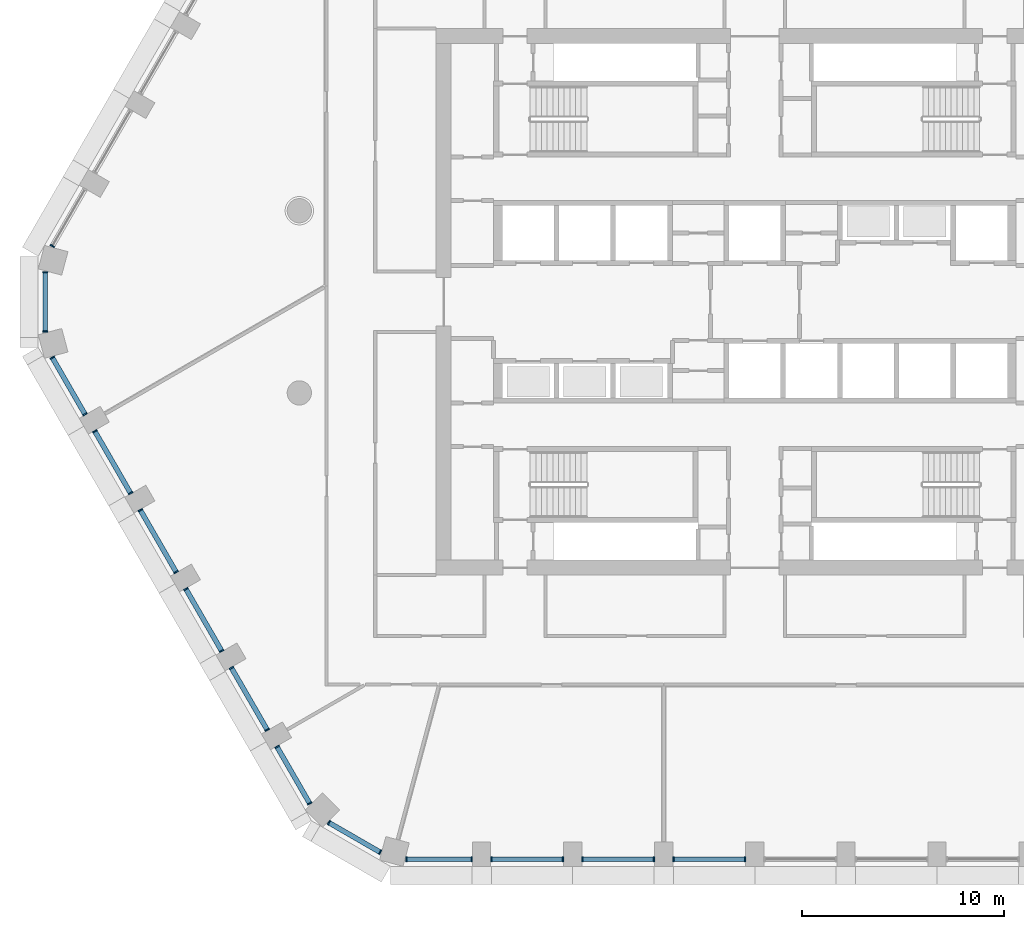
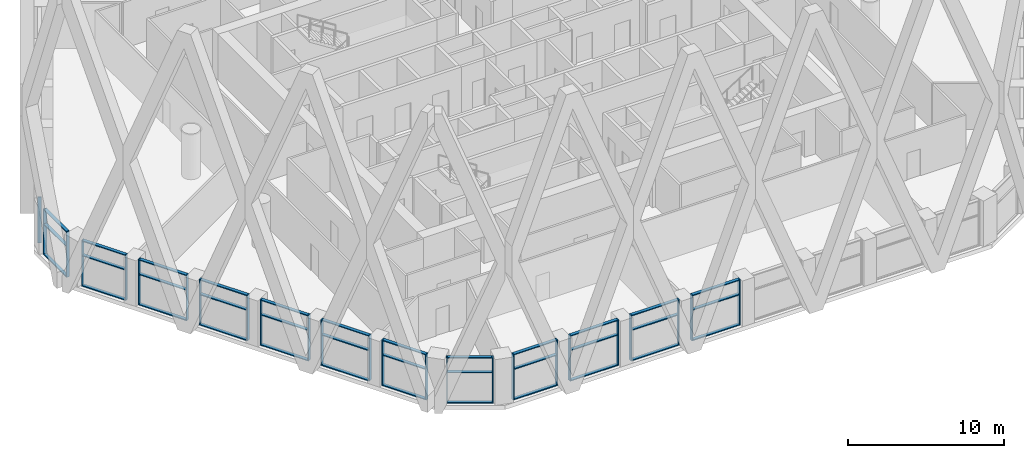
# One storey, part 2 of 24: 61 members, 13 elements without a shape of their own.
"""IFC4 building model written with IfcOpenShell, lengths in metres."""

from ifc_helpers import new_model, si_unit, direction, frame, origin, origin_2d, place, context, subcontext, project, spatial, rectangle, extrude, material, layer, layer_set, material_profile, profile_set, type_object, element, aggregate, save


model = new_model("IFC4")

# Units and contexts
model_context = context("Model", 3, precision=1e-05, world=origin(), true_north=direction((0.0, 1.0)))
body_context = subcontext(model_context, "Body", "Model", "MODEL_VIEW")
ifc_project = project(units=[si_unit("LENGTHUNIT", "METRE"), si_unit("AREAUNIT", "SQUARE_METRE"), si_unit("VOLUMEUNIT", "CUBIC_METRE"), si_unit("PLANEANGLEUNIT", "RADIAN"), si_unit("MASSUNIT", "GRAM", prefix="KILO")], contexts=[model_context])

# Site, building, storey
site_placement = place(None, origin())
site = spatial("IfcSite", under=ifc_project, at=site_placement, CompositionType="ELEMENT")
building_placement = place(site_placement, origin())
building = spatial("IfcBuilding", under=site, at=building_placement, Name="Dhurran Vertical Campus", CompositionType="ELEMENT")
storey_placement = place(building_placement, frame((0.0, 0.0, 132.60009765625)))
storey = spatial("IfcBuildingStorey", under=building, at=storey_placement, Name="L32", CompositionType="ELEMENT", Elevation=132.60009765625)

# Curtain wall, members
ifc_material_1 = material(Name="Aluminium frame with solar-control glass", Category="aluminium")
ifc_layer = layer(ifc_material_1, 0.25)
ifc_layer_set = layer_set([ifc_layer], Name="Aluminium frame with solar-control glass")
curtain_wall_type = type_object("IfcCurtainWallType", Name="Sky lobby glazing system", PredefinedType="NOTDEFINED", material=ifc_layer_set)
curtain_wall_1_placement = place(storey_placement, origin())
curtain_wall_1 = element("IfcCurtainWall", 1, at=curtain_wall_1_placement, inside=storey, type_object=curtain_wall_type, Name="CW3 L32.00", PredefinedType="NOTDEFINED")
ifc_material_2 = material(Name="Aluminium mullion", Category="aluminium")
ifc_material_profile_1 = material_profile(ifc_material_2, rectangle(XDim=0.239990234375, YDim=0.070068359375, at=origin_2d()), Name="Sky lobby glazing system mullion")
ifc_profile_set_1 = profile_set([ifc_material_profile_1], Name="Aluminium mullion")
member_type_1 = type_object("IfcMemberType", Name="Sky lobby glazing system mullion", PredefinedType="MULLION", material=ifc_profile_set_1)
member_1_placement = place(storey_placement, frame((-17.209716796875, -27.53271484375, 0.0), z_axis=(0.0, 0.0, 1.0), x_axis=(0.0, 1.0, 0.0)))
member_1 = element("IfcMember", 2, at=member_1_placement, type_object=member_type_1, Name="CW3 mullion 1", PredefinedType="MULLION", context=body_context, shape_type="SweptSolid", body=[
    extrude(rectangle(XDim=0.239990234375, YDim=0.070068359375, at=origin_2d()), origin(), (0.0, 0.0, 1.0), 3.574951171875),
])
member_2_placement = place(storey_placement, frame((-13.985595703125, -27.53271484375, 0.0), z_axis=(0.0, 0.0, 1.0), x_axis=(0.0, 1.0, 0.0)))
member_2 = element("IfcMember", 3, at=member_2_placement, type_object=member_type_1, Name="CW3 mullion 2", PredefinedType="MULLION", context=body_context, shape_type="SweptSolid", body=[
    extrude(rectangle(XDim=0.239990234375, YDim=0.070068359375, at=origin_2d()), origin(), (0.0, 0.0, 1.0), 3.574951171875),
])

curtain_wall_2_placement = place(storey_placement, origin())
curtain_wall_2 = element("IfcCurtainWall", 4, at=curtain_wall_2_placement, inside=storey, type_object=curtain_wall_type, Name="CW3 L32.01", PredefinedType="NOTDEFINED")
member_3_placement = place(storey_placement, frame((-13.014404296875, -27.53271484375, 0.0), z_axis=(0.0, 0.0, 1.0), x_axis=(0.0, 1.0, 0.0)))
member_3 = element("IfcMember", 5, at=member_3_placement, type_object=member_type_1, Name="CW3 mullion 1", PredefinedType="MULLION", context=body_context, shape_type="SweptSolid", body=[
    extrude(rectangle(XDim=0.239990234375, YDim=0.070068359375, at=origin_2d()), origin(), (0.0, 0.0, 1.0), 3.574951171875),
])
member_4_placement = place(storey_placement, frame((-9.485595703125, -27.53271484375, 0.0), z_axis=(0.0, 0.0, 1.0), x_axis=(0.0, 1.0, 0.0)))
member_4 = element("IfcMember", 6, at=member_4_placement, type_object=member_type_1, Name="CW3 mullion 2", PredefinedType="MULLION", context=body_context, shape_type="SweptSolid", body=[
    extrude(rectangle(XDim=0.239990234375, YDim=0.070068359375, at=origin_2d()), origin(), (0.0, 0.0, 1.0), 3.574951171875),
])

curtain_wall_3_placement = place(storey_placement, origin())
curtain_wall_3 = element("IfcCurtainWall", 7, at=curtain_wall_3_placement, inside=storey, type_object=curtain_wall_type, Name="CW3 L32.02", PredefinedType="NOTDEFINED")
member_5_placement = place(storey_placement, frame((-8.514404296875, -27.53271484375, 0.0), z_axis=(0.0, 0.0, 1.0), x_axis=(0.0, 1.0, 0.0)))
member_5 = element("IfcMember", 8, at=member_5_placement, type_object=member_type_1, Name="CW3 mullion 1", PredefinedType="MULLION", context=body_context, shape_type="SweptSolid", body=[
    extrude(rectangle(XDim=0.239990234375, YDim=0.070068359375, at=origin_2d()), origin(), (0.0, 0.0, 1.0), 3.574951171875),
])
member_6_placement = place(storey_placement, frame((-4.985595703125, -27.53271484375, 0.0), z_axis=(0.0, 0.0, 1.0), x_axis=(0.0, 1.0, 0.0)))
member_6 = element("IfcMember", 9, at=member_6_placement, type_object=member_type_1, Name="CW3 mullion 2", PredefinedType="MULLION", context=body_context, shape_type="SweptSolid", body=[
    extrude(rectangle(XDim=0.239990234375, YDim=0.070068359375, at=origin_2d()), origin(), (0.0, 0.0, 1.0), 3.574951171875),
])

curtain_wall_4_placement = place(storey_placement, origin())
curtain_wall_4 = element("IfcCurtainWall", 10, at=curtain_wall_4_placement, inside=storey, type_object=curtain_wall_type, Name="CW3 L32.03", PredefinedType="NOTDEFINED")
member_7_placement = place(storey_placement, frame((-4.014404296875, -27.53271484375, 0.0), z_axis=(0.0, 0.0, 1.0), x_axis=(0.0, 1.0, 0.0)))
member_7 = element("IfcMember", 11, at=member_7_placement, type_object=member_type_1, Name="CW3 mullion 1", PredefinedType="MULLION", context=body_context, shape_type="SweptSolid", body=[
    extrude(rectangle(XDim=0.239990234375, YDim=0.070068359375, at=origin_2d()), origin(), (0.0, 0.0, 1.0), 3.574951171875),
])
member_8_placement = place(storey_placement, frame((-0.485595703125, -27.53271484375, 0.0), z_axis=(0.0, 0.0, 1.0), x_axis=(0.0, 1.0, 0.0)))
member_8 = element("IfcMember", 12, at=member_8_placement, type_object=member_type_1, Name="CW3 mullion 2", PredefinedType="MULLION", context=body_context, shape_type="SweptSolid", body=[
    extrude(rectangle(XDim=0.239990234375, YDim=0.070068359375, at=origin_2d()), origin(), (0.0, 0.0, 1.0), 3.574951171875),
])

# Curtain wall, member
curtain_wall_5_placement = place(storey_placement, origin())
curtain_wall_5 = element("IfcCurtainWall", 13, at=curtain_wall_5_placement, inside=storey, type_object=curtain_wall_type, Name="CW3 L32.37", PredefinedType="NOTDEFINED")
member_9_placement = place(storey_placement, frame((-34.69873046875, 2.759521484375, 0.0), z_axis=(0.0, 0.0, 1.0), x_axis=(0.866033927995, -0.499985235344, 0.0)))
member_9 = element("IfcMember", 14, at=member_9_placement, type_object=member_type_1, Name="CW3 mullion 2", PredefinedType="MULLION", context=body_context, shape_type="SweptSolid", body=[
    extrude(rectangle(XDim=0.239990234375, YDim=0.070068359375, at=origin_2d()), origin(), (0.0, 0.0, 1.0), 3.574951171875),
])
aggregate(curtain_wall_5, [member_9])

# Curtain wall, members
curtain_wall_6_placement = place(storey_placement, origin())
curtain_wall_6 = element("IfcCurtainWall", 15, at=curtain_wall_6_placement, inside=storey, type_object=curtain_wall_type, Name="CW3 L32.38", PredefinedType="NOTDEFINED")
member_10_placement = place(storey_placement, frame((-35.047119140625, 1.459716796875, 0.0), z_axis=(0.0, 0.0, 1.0), x_axis=(1.0, 0.0, 0.0)))
member_10 = element("IfcMember", 16, at=member_10_placement, type_object=member_type_1, Name="CW3 mullion 1", PredefinedType="MULLION", context=body_context, shape_type="SweptSolid", body=[
    extrude(rectangle(XDim=0.239990234375, YDim=0.070068359375, at=origin_2d()), origin(), (0.0, 0.0, 1.0), 3.574951171875),
])
member_11_placement = place(storey_placement, frame((-35.047119140625, -1.459716796875, 0.0), z_axis=(0.0, 0.0, 1.0), x_axis=(1.0, 0.0, 0.0)))
member_11 = element("IfcMember", 17, at=member_11_placement, type_object=member_type_1, Name="CW3 mullion 2", PredefinedType="MULLION", context=body_context, shape_type="SweptSolid", body=[
    extrude(rectangle(XDim=0.239990234375, YDim=0.070068359375, at=origin_2d()), origin(), (0.0, 0.0, 1.0), 3.574951171875),
])

curtain_wall_7_placement = place(storey_placement, origin())
curtain_wall_7 = element("IfcCurtainWall", 18, at=curtain_wall_7_placement, inside=storey, type_object=curtain_wall_type, Name="CW3 L32.39", PredefinedType="NOTDEFINED")
member_12_placement = place(storey_placement, frame((-34.69873046875, -2.759521484375, 0.0), z_axis=(0.0, 0.0, 1.0), x_axis=(0.866033927995, 0.499985235344, 0.0)))
member_12 = element("IfcMember", 19, at=member_12_placement, type_object=member_type_1, Name="CW3 mullion 1", PredefinedType="MULLION", context=body_context, shape_type="SweptSolid", body=[
    extrude(rectangle(XDim=0.239990234375, YDim=0.070068359375, at=origin_2d()), origin(), (0.0, 0.0, 1.0), 3.574951171875),
])
member_13_placement = place(storey_placement, frame((-33.0869140625, -5.5517578125, 0.0), z_axis=(0.0, 0.0, 1.0), x_axis=(0.866033927995, 0.499985235344, 0.0)))
member_13 = element("IfcMember", 20, at=member_13_placement, type_object=member_type_1, Name="CW3 mullion 2", PredefinedType="MULLION", context=body_context, shape_type="SweptSolid", body=[
    extrude(rectangle(XDim=0.239990234375, YDim=0.070068359375, at=origin_2d()), origin(), (0.0, 0.0, 1.0), 3.574951171875),
])

curtain_wall_8_placement = place(storey_placement, origin())
curtain_wall_8 = element("IfcCurtainWall", 21, at=curtain_wall_8_placement, inside=storey, type_object=curtain_wall_type, Name="CW3 L32.40", PredefinedType="NOTDEFINED")
member_14_placement = place(storey_placement, frame((-32.601318359375, -6.392578125, 0.0), z_axis=(0.0, 0.0, 1.0), x_axis=(0.866023637427, 0.500003059408, 0.0)))
member_14 = element("IfcMember", 22, at=member_14_placement, type_object=member_type_1, Name="CW3 mullion 1", PredefinedType="MULLION", context=body_context, shape_type="SweptSolid", body=[
    extrude(rectangle(XDim=0.239990234375, YDim=0.070068359375, at=origin_2d()), origin(), (0.0, 0.0, 1.0), 3.574951171875),
])
member_15_placement = place(storey_placement, frame((-30.8369140625, -9.44873046875, 0.0), z_axis=(0.0, 0.0, 1.0), x_axis=(0.866023637427, 0.500003059408, 0.0)))
member_15 = element("IfcMember", 23, at=member_15_placement, type_object=member_type_1, Name="CW3 mullion 2", PredefinedType="MULLION", context=body_context, shape_type="SweptSolid", body=[
    extrude(rectangle(XDim=0.239990234375, YDim=0.070068359375, at=origin_2d()), origin(), (0.0, 0.0, 1.0), 3.574951171875),
])

curtain_wall_9_placement = place(storey_placement, origin())
curtain_wall_9 = element("IfcCurtainWall", 24, at=curtain_wall_9_placement, inside=storey, type_object=curtain_wall_type, Name="CW3 L32.41", PredefinedType="NOTDEFINED")
member_16_placement = place(storey_placement, frame((-30.351318359375, -10.289794921875, 0.0), z_axis=(0.0, 0.0, 1.0), x_axis=(0.866023637427, 0.500003059408, 0.0)))
member_16 = element("IfcMember", 25, at=member_16_placement, type_object=member_type_1, Name="CW3 mullion 1", PredefinedType="MULLION", context=body_context, shape_type="SweptSolid", body=[
    extrude(rectangle(XDim=0.239990234375, YDim=0.070068359375, at=origin_2d()), origin(), (0.0, 0.0, 1.0), 3.574951171875),
])
member_17_placement = place(storey_placement, frame((-28.5869140625, -13.345947265625, 0.0), z_axis=(0.0, 0.0, 1.0), x_axis=(0.866023637427, 0.500003059408, 0.0)))
member_17 = element("IfcMember", 26, at=member_17_placement, type_object=member_type_1, Name="CW3 mullion 2", PredefinedType="MULLION", context=body_context, shape_type="SweptSolid", body=[
    extrude(rectangle(XDim=0.239990234375, YDim=0.070068359375, at=origin_2d()), origin(), (0.0, 0.0, 1.0), 3.574951171875),
])

curtain_wall_10_placement = place(storey_placement, origin())
curtain_wall_10 = element("IfcCurtainWall", 27, at=curtain_wall_10_placement, inside=storey, type_object=curtain_wall_type, Name="CW3 L32.42", PredefinedType="NOTDEFINED")
member_18_placement = place(storey_placement, frame((-28.101318359375, -14.186767578125, 0.0), z_axis=(0.0, 0.0, 1.0), x_axis=(0.866023637427, 0.500003059408, 0.0)))
member_18 = element("IfcMember", 28, at=member_18_placement, type_object=member_type_1, Name="CW3 mullion 1", PredefinedType="MULLION", context=body_context, shape_type="SweptSolid", body=[
    extrude(rectangle(XDim=0.239990234375, YDim=0.070068359375, at=origin_2d()), origin(), (0.0, 0.0, 1.0), 3.574951171875),
])
member_19_placement = place(storey_placement, frame((-26.3369140625, -17.242919921875, 0.0), z_axis=(0.0, 0.0, 1.0), x_axis=(0.866023637427, 0.500003059408, 0.0)))
member_19 = element("IfcMember", 29, at=member_19_placement, type_object=member_type_1, Name="CW3 mullion 2", PredefinedType="MULLION", context=body_context, shape_type="SweptSolid", body=[
    extrude(rectangle(XDim=0.239990234375, YDim=0.070068359375, at=origin_2d()), origin(), (0.0, 0.0, 1.0), 3.574951171875),
])

curtain_wall_11_placement = place(storey_placement, origin())
curtain_wall_11 = element("IfcCurtainWall", 30, at=curtain_wall_11_placement, inside=storey, type_object=curtain_wall_type, Name="CW3 L32.43", PredefinedType="NOTDEFINED")
member_20_placement = place(storey_placement, frame((-25.851318359375, -18.083984375, 0.0), z_axis=(0.0, 0.0, 1.0), x_axis=(0.866023637427, 0.500003059408, 0.0)))
member_20 = element("IfcMember", 31, at=member_20_placement, type_object=member_type_1, Name="CW3 mullion 1", PredefinedType="MULLION", context=body_context, shape_type="SweptSolid", body=[
    extrude(rectangle(XDim=0.239990234375, YDim=0.070068359375, at=origin_2d()), origin(), (0.0, 0.0, 1.0), 3.574951171875),
])
member_21_placement = place(storey_placement, frame((-24.0869140625, -21.14013671875, 0.0), z_axis=(0.0, 0.0, 1.0), x_axis=(0.866023637427, 0.500003059408, 0.0)))
member_21 = element("IfcMember", 32, at=member_21_placement, type_object=member_type_1, Name="CW3 mullion 2", PredefinedType="MULLION", context=body_context, shape_type="SweptSolid", body=[
    extrude(rectangle(XDim=0.239990234375, YDim=0.070068359375, at=origin_2d()), origin(), (0.0, 0.0, 1.0), 3.574951171875),
])

curtain_wall_12_placement = place(storey_placement, origin())
curtain_wall_12 = element("IfcCurtainWall", 33, at=curtain_wall_12_placement, inside=storey, type_object=curtain_wall_type, Name="CW3 L32.44", PredefinedType="NOTDEFINED")
member_22_placement = place(storey_placement, frame((-23.601318359375, -21.98095703125, 0.0), z_axis=(0.0, 0.0, 1.0), x_axis=(0.866026338808, 0.499998380488, 0.0)))
member_22 = element("IfcMember", 34, at=member_22_placement, type_object=member_type_1, Name="CW3 mullion 1", PredefinedType="MULLION", context=body_context, shape_type="SweptSolid", body=[
    extrude(rectangle(XDim=0.239990234375, YDim=0.070068359375, at=origin_2d()), origin(), (0.0, 0.0, 1.0), 3.574951171875),
])
member_23_placement = place(storey_placement, frame((-21.9892578125, -24.773193359375, 0.0), z_axis=(0.0, 0.0, 1.0), x_axis=(0.866026338808, 0.499998380488, 0.0)))
member_23 = element("IfcMember", 35, at=member_23_placement, type_object=member_type_1, Name="CW3 mullion 2", PredefinedType="MULLION", context=body_context, shape_type="SweptSolid", body=[
    extrude(rectangle(XDim=0.239990234375, YDim=0.070068359375, at=origin_2d()), origin(), (0.0, 0.0, 1.0), 3.574951171875),
])

curtain_wall_13_placement = place(storey_placement, origin())
curtain_wall_13 = element("IfcCurtainWall", 36, at=curtain_wall_13_placement, inside=storey, type_object=curtain_wall_type, Name="CW3 L32.45", PredefinedType="NOTDEFINED")
member_24_placement = place(storey_placement, frame((-21.03759765625, -25.724853515625, 0.0), z_axis=(0.0, 0.0, 1.0), x_axis=(0.500003351625, 0.866023468714, 0.0)))
member_24 = element("IfcMember", 37, at=member_24_placement, type_object=member_type_1, Name="CW3 mullion 1", PredefinedType="MULLION", context=body_context, shape_type="SweptSolid", body=[
    extrude(rectangle(XDim=0.239990234375, YDim=0.070068359375, at=origin_2d()), origin(), (0.0, 0.0, 1.0), 3.574951171875),
])
member_25_placement = place(storey_placement, frame((-18.509521484375, -27.184326171875, 0.0), z_axis=(0.0, 0.0, 1.0), x_axis=(0.500003351625, 0.866023468714, 0.0)))
member_25 = element("IfcMember", 38, at=member_25_placement, type_object=member_type_1, Name="CW3 mullion 2", PredefinedType="MULLION", context=body_context, shape_type="SweptSolid", body=[
    extrude(rectangle(XDim=0.239990234375, YDim=0.070068359375, at=origin_2d()), origin(), (0.0, 0.0, 1.0), 3.574951171875),
])

# Member
ifc_material_3 = material(Name="Aluminium transom", Category="aluminium")
ifc_material_profile_2 = material_profile(ifc_material_3, rectangle(XDim=0.239990234375, YDim=0.070068359375, at=origin_2d()), Name="Sky lobby glazing system transom")
ifc_profile_set_2 = profile_set([ifc_material_profile_2], Name="Aluminium transom")
member_type_2 = type_object("IfcMemberType", Name="Sky lobby glazing system transom", PredefinedType="USERDEFINED", material=ifc_profile_set_2)
member_26_placement = place(storey_placement, frame((-17.174560546875, -27.53271484375, 0.034912109375), z_axis=(1.0, 0.0, 0.0), x_axis=(0.0, 1.0, 0.0)))
member_26 = element("IfcMember", 39, at=member_26_placement, type_object=member_type_2, Name="CW3 transom 1.1", ObjectType="TRANSOM", PredefinedType="USERDEFINED", context=body_context, shape_type="SweptSolid", body=[
    extrude(rectangle(XDim=0.239990234375, YDim=0.070068359375, at=origin_2d()), origin(), (0.0, 0.0, 1.0), 3.154052734375),
])

member_27_placement = place(storey_placement, frame((-17.174560546875, -27.53271484375, 2.39990234375), z_axis=(1.0, 0.0, 0.0), x_axis=(0.0, 1.0, 0.0)))
member_27 = element("IfcMember", 40, at=member_27_placement, type_object=member_type_2, Name="CW3 transom 1.2", ObjectType="TRANSOM", PredefinedType="USERDEFINED", context=body_context, shape_type="SweptSolid", body=[
    extrude(rectangle(XDim=0.239990234375, YDim=0.070068359375, at=origin_2d()), origin(), (0.0, 0.0, 1.0), 3.154052734375),
])

member_28_placement = place(storey_placement, frame((-17.174560546875, -27.53271484375, 3.539794921875), z_axis=(1.0, 0.0, 0.0), x_axis=(0.0, 1.0, 0.0)))
member_28 = element("IfcMember", 41, at=member_28_placement, type_object=member_type_2, Name="CW3 transom 1.3", ObjectType="TRANSOM", PredefinedType="USERDEFINED", context=body_context, shape_type="SweptSolid", body=[
    extrude(rectangle(XDim=0.239990234375, YDim=0.070068359375, at=origin_2d()), origin(), (0.0, 0.0, 1.0), 3.154052734375),
])

aggregate(curtain_wall_1, [member_1, member_2, member_26, member_27, member_28])

member_29_placement = place(storey_placement, frame((-12.9794921875, -27.53271484375, 0.034912109375), z_axis=(1.0, 0.0, 0.0), x_axis=(0.0, 1.0, 0.0)))
member_29 = element("IfcMember", 42, at=member_29_placement, type_object=member_type_2, Name="CW3 transom 1.1", ObjectType="TRANSOM", PredefinedType="USERDEFINED", context=body_context, shape_type="SweptSolid", body=[
    extrude(rectangle(XDim=0.239990234375, YDim=0.070068359375, at=origin_2d()), origin(), (0.0, 0.0, 1.0), 3.458984375),
])

member_30_placement = place(storey_placement, frame((-12.9794921875, -27.53271484375, 2.39990234375), z_axis=(1.0, 0.0, 0.0), x_axis=(0.0, 1.0, 0.0)))
member_30 = element("IfcMember", 43, at=member_30_placement, type_object=member_type_2, Name="CW3 transom 1.2", ObjectType="TRANSOM", PredefinedType="USERDEFINED", context=body_context, shape_type="SweptSolid", body=[
    extrude(rectangle(XDim=0.239990234375, YDim=0.070068359375, at=origin_2d()), origin(), (0.0, 0.0, 1.0), 3.458984375),
])

member_31_placement = place(storey_placement, frame((-12.9794921875, -27.53271484375, 3.539794921875), z_axis=(1.0, 0.0, 0.0), x_axis=(0.0, 1.0, 0.0)))
member_31 = element("IfcMember", 44, at=member_31_placement, type_object=member_type_2, Name="CW3 transom 1.3", ObjectType="TRANSOM", PredefinedType="USERDEFINED", context=body_context, shape_type="SweptSolid", body=[
    extrude(rectangle(XDim=0.239990234375, YDim=0.070068359375, at=origin_2d()), origin(), (0.0, 0.0, 1.0), 3.458984375),
])

aggregate(curtain_wall_2, [member_3, member_4, member_29, member_30, member_31])

member_32_placement = place(storey_placement, frame((-8.4794921875, -27.53271484375, 0.034912109375), z_axis=(1.0, 0.0, 0.0), x_axis=(0.0, 1.0, 0.0)))
member_32 = element("IfcMember", 45, at=member_32_placement, type_object=member_type_2, Name="CW3 transom 1.1", ObjectType="TRANSOM", PredefinedType="USERDEFINED", context=body_context, shape_type="SweptSolid", body=[
    extrude(rectangle(XDim=0.239990234375, YDim=0.070068359375, at=origin_2d()), origin(), (0.0, 0.0, 1.0), 3.458984375),
])

member_33_placement = place(storey_placement, frame((-8.4794921875, -27.53271484375, 2.39990234375), z_axis=(1.0, 0.0, 0.0), x_axis=(0.0, 1.0, 0.0)))
member_33 = element("IfcMember", 46, at=member_33_placement, type_object=member_type_2, Name="CW3 transom 1.2", ObjectType="TRANSOM", PredefinedType="USERDEFINED", context=body_context, shape_type="SweptSolid", body=[
    extrude(rectangle(XDim=0.239990234375, YDim=0.070068359375, at=origin_2d()), origin(), (0.0, 0.0, 1.0), 3.458984375),
])

member_34_placement = place(storey_placement, frame((-8.4794921875, -27.53271484375, 3.539794921875), z_axis=(1.0, 0.0, 0.0), x_axis=(0.0, 1.0, 0.0)))
member_34 = element("IfcMember", 47, at=member_34_placement, type_object=member_type_2, Name="CW3 transom 1.3", ObjectType="TRANSOM", PredefinedType="USERDEFINED", context=body_context, shape_type="SweptSolid", body=[
    extrude(rectangle(XDim=0.239990234375, YDim=0.070068359375, at=origin_2d()), origin(), (0.0, 0.0, 1.0), 3.458984375),
])

aggregate(curtain_wall_3, [member_5, member_6, member_32, member_33, member_34])

member_35_placement = place(storey_placement, frame((-3.9794921875, -27.53271484375, 0.034912109375), z_axis=(1.0, 0.0, 0.0), x_axis=(0.0, 1.0, 0.0)))
member_35 = element("IfcMember", 48, at=member_35_placement, type_object=member_type_2, Name="CW3 transom 1.1", ObjectType="TRANSOM", PredefinedType="USERDEFINED", context=body_context, shape_type="SweptSolid", body=[
    extrude(rectangle(XDim=0.239990234375, YDim=0.070068359375, at=origin_2d()), origin(), (0.0, 0.0, 1.0), 3.458984375),
])

member_36_placement = place(storey_placement, frame((-3.9794921875, -27.53271484375, 2.39990234375), z_axis=(1.0, 0.0, 0.0), x_axis=(0.0, 1.0, 0.0)))
member_36 = element("IfcMember", 49, at=member_36_placement, type_object=member_type_2, Name="CW3 transom 1.2", ObjectType="TRANSOM", PredefinedType="USERDEFINED", context=body_context, shape_type="SweptSolid", body=[
    extrude(rectangle(XDim=0.239990234375, YDim=0.070068359375, at=origin_2d()), origin(), (0.0, 0.0, 1.0), 3.458984375),
])

member_37_placement = place(storey_placement, frame((-3.9794921875, -27.53271484375, 3.539794921875), z_axis=(1.0, 0.0, 0.0), x_axis=(0.0, 1.0, 0.0)))
member_37 = element("IfcMember", 50, at=member_37_placement, type_object=member_type_2, Name="CW3 transom 1.3", ObjectType="TRANSOM", PredefinedType="USERDEFINED", context=body_context, shape_type="SweptSolid", body=[
    extrude(rectangle(XDim=0.239990234375, YDim=0.070068359375, at=origin_2d()), origin(), (0.0, 0.0, 1.0), 3.458984375),
])

aggregate(curtain_wall_4, [member_7, member_8, member_35, member_36, member_37])

member_38_placement = place(storey_placement, frame((-35.047119140625, 1.424560546875, 0.034912109375), z_axis=(0.0, -1.0, 0.0), x_axis=(1.0, 0.0, 0.0)))
member_38 = element("IfcMember", 51, at=member_38_placement, type_object=member_type_2, Name="CW3 transom 1.1", ObjectType="TRANSOM", PredefinedType="USERDEFINED", context=body_context, shape_type="SweptSolid", body=[
    extrude(rectangle(XDim=0.239990234375, YDim=0.070068359375, at=origin_2d()), origin(), (0.0, 0.0, 1.0), 2.84912109375),
])

member_39_placement = place(storey_placement, frame((-35.047119140625, 1.424560546875, 2.39990234375), z_axis=(0.0, -1.0, 0.0), x_axis=(1.0, 0.0, 0.0)))
member_39 = element("IfcMember", 52, at=member_39_placement, type_object=member_type_2, Name="CW3 transom 1.2", ObjectType="TRANSOM", PredefinedType="USERDEFINED", context=body_context, shape_type="SweptSolid", body=[
    extrude(rectangle(XDim=0.239990234375, YDim=0.070068359375, at=origin_2d()), origin(), (0.0, 0.0, 1.0), 2.84912109375),
])

member_40_placement = place(storey_placement, frame((-35.047119140625, 1.424560546875, 3.539794921875), z_axis=(0.0, -1.0, 0.0), x_axis=(1.0, 0.0, 0.0)))
member_40 = element("IfcMember", 53, at=member_40_placement, type_object=member_type_2, Name="CW3 transom 1.3", ObjectType="TRANSOM", PredefinedType="USERDEFINED", context=body_context, shape_type="SweptSolid", body=[
    extrude(rectangle(XDim=0.239990234375, YDim=0.070068359375, at=origin_2d()), origin(), (0.0, 0.0, 1.0), 2.84912109375),
])

aggregate(curtain_wall_6, [member_10, member_11, member_38, member_39, member_40])

member_41_placement = place(storey_placement, frame((-34.681396484375, -2.789794921875, 0.034912109375), z_axis=(0.500001615989, -0.86602447079, 0.0), x_axis=(0.86602447079, 0.500001615989, 0.0)))
member_41 = element("IfcMember", 54, at=member_41_placement, type_object=member_type_2, Name="CW3 transom 1.1", ObjectType="TRANSOM", PredefinedType="USERDEFINED", context=body_context, shape_type="SweptSolid", body=[
    extrude(rectangle(XDim=0.239990234375, YDim=0.070068359375, at=origin_2d()), origin(), (0.0, 0.0, 1.0), 3.154296875),
])

member_42_placement = place(storey_placement, frame((-34.681396484375, -2.789794921875, 2.39990234375), z_axis=(0.500001615989, -0.86602447079, 0.0), x_axis=(0.86602447079, 0.500001615989, 0.0)))
member_42 = element("IfcMember", 55, at=member_42_placement, type_object=member_type_2, Name="CW3 transom 1.2", ObjectType="TRANSOM", PredefinedType="USERDEFINED", context=body_context, shape_type="SweptSolid", body=[
    extrude(rectangle(XDim=0.239990234375, YDim=0.070068359375, at=origin_2d()), origin(), (0.0, 0.0, 1.0), 3.154296875),
])

member_43_placement = place(storey_placement, frame((-34.681396484375, -2.789794921875, 3.539794921875), z_axis=(0.500001615989, -0.86602447079, 0.0), x_axis=(0.86602447079, 0.500001615989, 0.0)))
member_43 = element("IfcMember", 56, at=member_43_placement, type_object=member_type_2, Name="CW3 transom 1.3", ObjectType="TRANSOM", PredefinedType="USERDEFINED", context=body_context, shape_type="SweptSolid", body=[
    extrude(rectangle(XDim=0.239990234375, YDim=0.070068359375, at=origin_2d()), origin(), (0.0, 0.0, 1.0), 3.154296875),
])

aggregate(curtain_wall_7, [member_12, member_13, member_41, member_42, member_43])

member_44_placement = place(storey_placement, frame((-32.583740234375, -6.4228515625, 0.034912109375), z_axis=(0.499995352082, -0.866028087245, 0.0), x_axis=(0.866028087245, 0.499995352082, 0.0)))
member_44 = element("IfcMember", 57, at=member_44_placement, type_object=member_type_2, Name="CW3 transom 1.1", ObjectType="TRANSOM", PredefinedType="USERDEFINED", context=body_context, shape_type="SweptSolid", body=[
    extrude(rectangle(XDim=0.239990234375, YDim=0.070068359375, at=origin_2d()), origin(), (0.0, 0.0, 1.0), 3.458984375),
])

member_45_placement = place(storey_placement, frame((-32.583740234375, -6.4228515625, 2.39990234375), z_axis=(0.499995352082, -0.866028087245, 0.0), x_axis=(0.866028087245, 0.499995352082, 0.0)))
member_45 = element("IfcMember", 58, at=member_45_placement, type_object=member_type_2, Name="CW3 transom 1.2", ObjectType="TRANSOM", PredefinedType="USERDEFINED", context=body_context, shape_type="SweptSolid", body=[
    extrude(rectangle(XDim=0.239990234375, YDim=0.070068359375, at=origin_2d()), origin(), (0.0, 0.0, 1.0), 3.458984375),
])

member_46_placement = place(storey_placement, frame((-32.583740234375, -6.4228515625, 3.539794921875), z_axis=(0.499995352082, -0.866028087245, 0.0), x_axis=(0.866028087245, 0.499995352082, 0.0)))
member_46 = element("IfcMember", 59, at=member_46_placement, type_object=member_type_2, Name="CW3 transom 1.3", ObjectType="TRANSOM", PredefinedType="USERDEFINED", context=body_context, shape_type="SweptSolid", body=[
    extrude(rectangle(XDim=0.239990234375, YDim=0.070068359375, at=origin_2d()), origin(), (0.0, 0.0, 1.0), 3.458984375),
])

aggregate(curtain_wall_8, [member_14, member_15, member_44, member_45, member_46])

member_47_placement = place(storey_placement, frame((-30.333740234375, -10.320068359375, 0.034912109375), z_axis=(0.499995352082, -0.866028087245, 0.0), x_axis=(0.866028087245, 0.499995352082, 0.0)))
member_47 = element("IfcMember", 60, at=member_47_placement, type_object=member_type_2, Name="CW3 transom 1.1", ObjectType="TRANSOM", PredefinedType="USERDEFINED", context=body_context, shape_type="SweptSolid", body=[
    extrude(rectangle(XDim=0.239990234375, YDim=0.070068359375, at=origin_2d()), origin(), (0.0, 0.0, 1.0), 3.458984375),
])

member_48_placement = place(storey_placement, frame((-30.333740234375, -10.320068359375, 2.39990234375), z_axis=(0.499995352082, -0.866028087245, 0.0), x_axis=(0.866028087245, 0.499995352082, 0.0)))
member_48 = element("IfcMember", 61, at=member_48_placement, type_object=member_type_2, Name="CW3 transom 1.2", ObjectType="TRANSOM", PredefinedType="USERDEFINED", context=body_context, shape_type="SweptSolid", body=[
    extrude(rectangle(XDim=0.239990234375, YDim=0.070068359375, at=origin_2d()), origin(), (0.0, 0.0, 1.0), 3.458984375),
])

member_49_placement = place(storey_placement, frame((-30.333740234375, -10.320068359375, 3.539794921875), z_axis=(0.499995352082, -0.866028087245, 0.0), x_axis=(0.866028087245, 0.499995352082, 0.0)))
member_49 = element("IfcMember", 62, at=member_49_placement, type_object=member_type_2, Name="CW3 transom 1.3", ObjectType="TRANSOM", PredefinedType="USERDEFINED", context=body_context, shape_type="SweptSolid", body=[
    extrude(rectangle(XDim=0.239990234375, YDim=0.070068359375, at=origin_2d()), origin(), (0.0, 0.0, 1.0), 3.458984375),
])

aggregate(curtain_wall_9, [member_16, member_17, member_47, member_48, member_49])

member_50_placement = place(storey_placement, frame((-28.083740234375, -14.217041015625, 0.034912109375), z_axis=(0.499995352082, -0.866028087245, 0.0), x_axis=(0.866028087245, 0.499995352082, 0.0)))
member_50 = element("IfcMember", 63, at=member_50_placement, type_object=member_type_2, Name="CW3 transom 1.1", ObjectType="TRANSOM", PredefinedType="USERDEFINED", context=body_context, shape_type="SweptSolid", body=[
    extrude(rectangle(XDim=0.239990234375, YDim=0.070068359375, at=origin_2d()), origin(), (0.0, 0.0, 1.0), 3.458984375),
])

member_51_placement = place(storey_placement, frame((-28.083740234375, -14.217041015625, 2.39990234375), z_axis=(0.499995352082, -0.866028087245, 0.0), x_axis=(0.866028087245, 0.499995352082, 0.0)))
member_51 = element("IfcMember", 64, at=member_51_placement, type_object=member_type_2, Name="CW3 transom 1.2", ObjectType="TRANSOM", PredefinedType="USERDEFINED", context=body_context, shape_type="SweptSolid", body=[
    extrude(rectangle(XDim=0.239990234375, YDim=0.070068359375, at=origin_2d()), origin(), (0.0, 0.0, 1.0), 3.458984375),
])

member_52_placement = place(storey_placement, frame((-28.083740234375, -14.217041015625, 3.539794921875), z_axis=(0.499995352082, -0.866028087245, 0.0), x_axis=(0.866028087245, 0.499995352082, 0.0)))
member_52 = element("IfcMember", 65, at=member_52_placement, type_object=member_type_2, Name="CW3 transom 1.3", ObjectType="TRANSOM", PredefinedType="USERDEFINED", context=body_context, shape_type="SweptSolid", body=[
    extrude(rectangle(XDim=0.239990234375, YDim=0.070068359375, at=origin_2d()), origin(), (0.0, 0.0, 1.0), 3.458984375),
])

aggregate(curtain_wall_10, [member_18, member_19, member_50, member_51, member_52])

member_53_placement = place(storey_placement, frame((-25.833740234375, -18.1142578125, 0.034912109375), z_axis=(0.499995352082, -0.866028087245, 0.0), x_axis=(0.866028087245, 0.499995352082, 0.0)))
member_53 = element("IfcMember", 66, at=member_53_placement, type_object=member_type_2, Name="CW3 transom 1.1", ObjectType="TRANSOM", PredefinedType="USERDEFINED", context=body_context, shape_type="SweptSolid", body=[
    extrude(rectangle(XDim=0.239990234375, YDim=0.070068359375, at=origin_2d()), origin(), (0.0, 0.0, 1.0), 3.458984375),
])

member_54_placement = place(storey_placement, frame((-25.833740234375, -18.1142578125, 2.39990234375), z_axis=(0.499995352082, -0.866028087245, 0.0), x_axis=(0.866028087245, 0.499995352082, 0.0)))
member_54 = element("IfcMember", 67, at=member_54_placement, type_object=member_type_2, Name="CW3 transom 1.2", ObjectType="TRANSOM", PredefinedType="USERDEFINED", context=body_context, shape_type="SweptSolid", body=[
    extrude(rectangle(XDim=0.239990234375, YDim=0.070068359375, at=origin_2d()), origin(), (0.0, 0.0, 1.0), 3.458984375),
])

member_55_placement = place(storey_placement, frame((-25.833740234375, -18.1142578125, 3.539794921875), z_axis=(0.499995352082, -0.866028087245, 0.0), x_axis=(0.866028087245, 0.499995352082, 0.0)))
member_55 = element("IfcMember", 68, at=member_55_placement, type_object=member_type_2, Name="CW3 transom 1.3", ObjectType="TRANSOM", PredefinedType="USERDEFINED", context=body_context, shape_type="SweptSolid", body=[
    extrude(rectangle(XDim=0.239990234375, YDim=0.070068359375, at=origin_2d()), origin(), (0.0, 0.0, 1.0), 3.458984375),
])

aggregate(curtain_wall_11, [member_20, member_21, member_53, member_54, member_55])

member_56_placement = place(storey_placement, frame((-23.583740234375, -22.01123046875, 0.034912109375), z_axis=(0.499977078692, -0.866038637003, 0.0), x_axis=(0.866038637003, 0.499977078692, 0.0)))
member_56 = element("IfcMember", 69, at=member_56_placement, type_object=member_type_2, Name="CW3 transom 1.1", ObjectType="TRANSOM", PredefinedType="USERDEFINED", context=body_context, shape_type="SweptSolid", body=[
    extrude(rectangle(XDim=0.239990234375, YDim=0.070068359375, at=origin_2d()), origin(), (0.0, 0.0, 1.0), 3.154052734375),
])

member_57_placement = place(storey_placement, frame((-23.583740234375, -22.01123046875, 2.39990234375), z_axis=(0.499977078692, -0.866038637003, 0.0), x_axis=(0.866038637003, 0.499977078692, 0.0)))
member_57 = element("IfcMember", 70, at=member_57_placement, type_object=member_type_2, Name="CW3 transom 1.2", ObjectType="TRANSOM", PredefinedType="USERDEFINED", context=body_context, shape_type="SweptSolid", body=[
    extrude(rectangle(XDim=0.239990234375, YDim=0.070068359375, at=origin_2d()), origin(), (0.0, 0.0, 1.0), 3.154052734375),
])

member_58_placement = place(storey_placement, frame((-23.583740234375, -22.01123046875, 3.539794921875), z_axis=(0.499977078692, -0.866038637003, 0.0), x_axis=(0.866038637003, 0.499977078692, 0.0)))
member_58 = element("IfcMember", 71, at=member_58_placement, type_object=member_type_2, Name="CW3 transom 1.3", ObjectType="TRANSOM", PredefinedType="USERDEFINED", context=body_context, shape_type="SweptSolid", body=[
    extrude(rectangle(XDim=0.239990234375, YDim=0.070068359375, at=origin_2d()), origin(), (0.0, 0.0, 1.0), 3.154052734375),
])

aggregate(curtain_wall_12, [member_22, member_23, member_56, member_57, member_58])

member_59_placement = place(storey_placement, frame((-21.00732421875, -25.7421875, 0.034912109375), z_axis=(0.865998658444, -0.500046321428, 0.0), x_axis=(0.500046321428, 0.865998658444, 0.0)))
member_59 = element("IfcMember", 72, at=member_59_placement, type_object=member_type_2, Name="CW3 transom 1.1", ObjectType="TRANSOM", PredefinedType="USERDEFINED", context=body_context, shape_type="SweptSolid", body=[
    extrude(rectangle(XDim=0.239990234375, YDim=0.070068359375, at=origin_2d()), origin(), (0.0, 0.0, 1.0), 2.849365234375),
])

member_60_placement = place(storey_placement, frame((-21.00732421875, -25.7421875, 2.39990234375), z_axis=(0.865998658444, -0.500046321428, 0.0), x_axis=(0.500046321428, 0.865998658444, 0.0)))
member_60 = element("IfcMember", 73, at=member_60_placement, type_object=member_type_2, Name="CW3 transom 1.2", ObjectType="TRANSOM", PredefinedType="USERDEFINED", context=body_context, shape_type="SweptSolid", body=[
    extrude(rectangle(XDim=0.239990234375, YDim=0.070068359375, at=origin_2d()), origin(), (0.0, 0.0, 1.0), 2.849365234375),
])

member_61_placement = place(storey_placement, frame((-21.00732421875, -25.7421875, 3.539794921875), z_axis=(0.865998658444, -0.500046321428, 0.0), x_axis=(0.500046321428, 0.865998658444, 0.0)))
member_61 = element("IfcMember", 74, at=member_61_placement, type_object=member_type_2, Name="CW3 transom 1.3", ObjectType="TRANSOM", PredefinedType="USERDEFINED", context=body_context, shape_type="SweptSolid", body=[
    extrude(rectangle(XDim=0.239990234375, YDim=0.070068359375, at=origin_2d()), origin(), (0.0, 0.0, 1.0), 2.849365234375),
])

aggregate(curtain_wall_13, [member_24, member_25, member_59, member_60, member_61])

save(model, "model.ifc")
